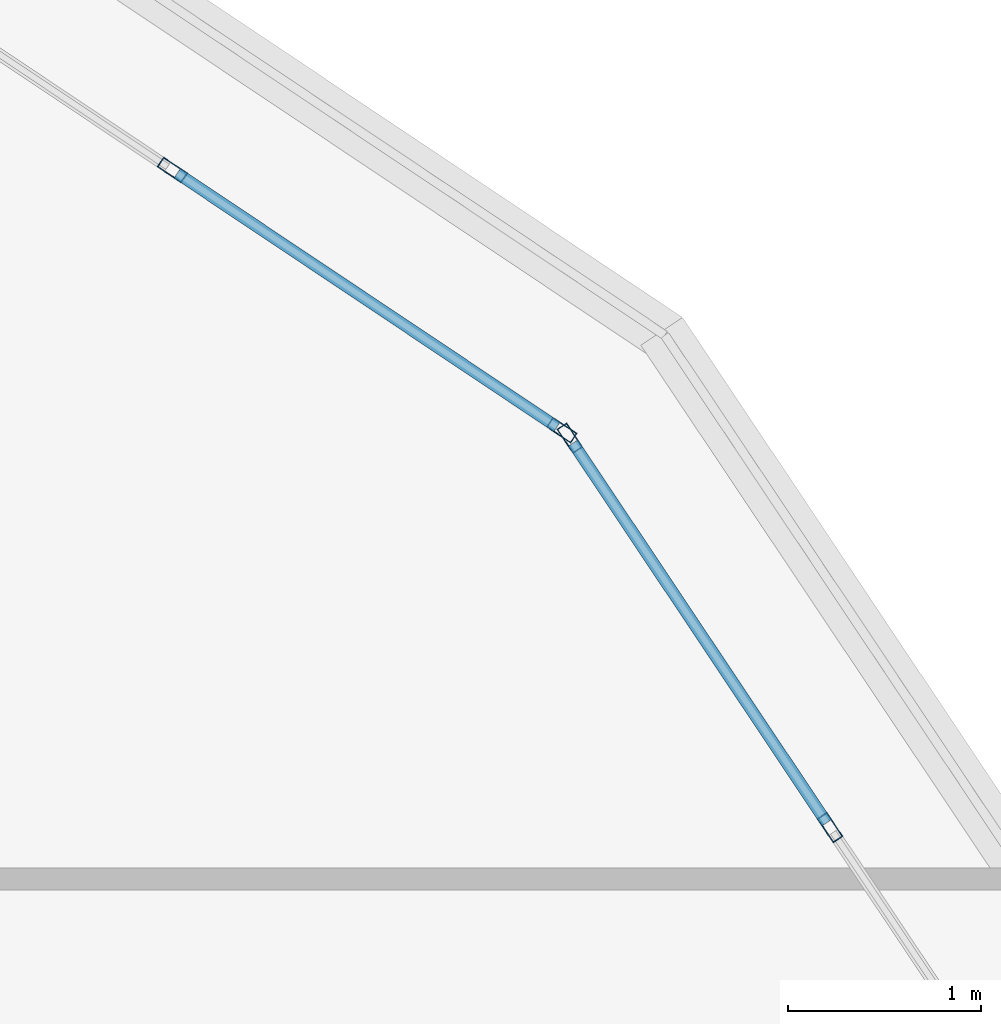
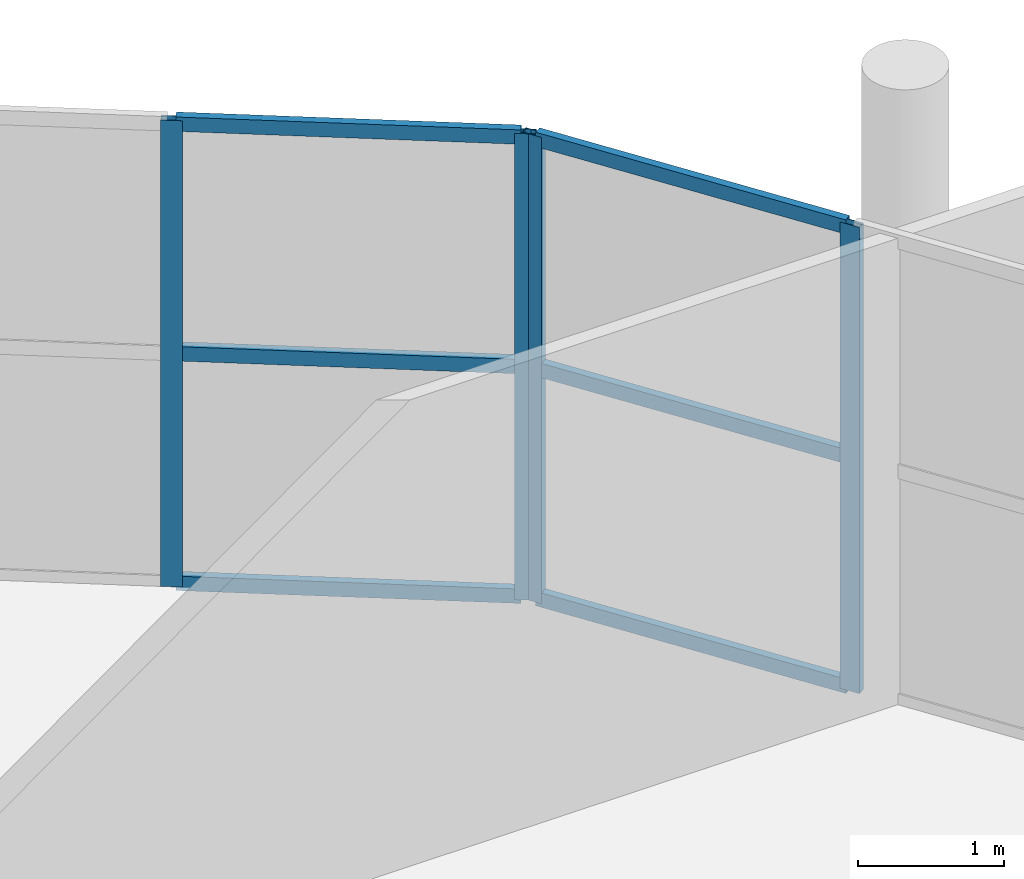
# One storey, part 24 of 44: 10 members, 2 elements without a shape of their own.
"""IFC4 building model written with IfcOpenShell, lengths in metres."""

from ifc_helpers import new_model, si_unit, direction, frame, origin, origin_2d, place, context, subcontext, project, spatial, hollow_rectangle, extrude, material, layer, layer_set, material_profile, profile_set, type_object, element, aggregate, save


model = new_model("IFC4")

# Units and contexts
model_context = context("Model", 3, precision=1e-05, world=origin(), true_north=direction((0.0, 1.0)))
body_context = subcontext(model_context, "Body", "Model", "MODEL_VIEW")
ifc_project = project(units=[si_unit("LENGTHUNIT", "METRE"), si_unit("AREAUNIT", "SQUARE_METRE"), si_unit("VOLUMEUNIT", "CUBIC_METRE"), si_unit("PLANEANGLEUNIT", "RADIAN"), si_unit("MASSUNIT", "GRAM", prefix="KILO")], contexts=[model_context])

# Site, building, storey
site_placement = place(None, origin())
site = spatial("IfcSite", under=ifc_project, at=site_placement, CompositionType="ELEMENT")
building_placement = place(site_placement, origin())
building = spatial("IfcBuilding", under=site, at=building_placement, Name="Zizhar Promenade General Hospital", CompositionType="ELEMENT")
storey_placement = place(building_placement, frame((0.0, 0.0, 34.800048828125)))
storey = spatial("IfcBuildingStorey", under=building, at=storey_placement, Name="L08", CompositionType="ELEMENT", Elevation=34.800048828125)

# Curtain wall, members
ifc_material_1 = material(Name="Anodised aluminium 6063-T6 and low-E glass", Category="aluminium")
ifc_layer = layer(ifc_material_1, 0.159912109375)
ifc_layer_set = layer_set([ifc_layer], Name="Anodised aluminium 6063-T6 and low-E glass")
curtain_wall_type = type_object("IfcCurtainWallType", Name="CW-WARD-ARC", PredefinedType="NOTDEFINED", material=ifc_layer_set)
curtain_wall_1_placement = place(storey_placement, origin())
curtain_wall_1 = element("IfcCurtainWall", 1, at=curtain_wall_1_placement, inside=storey, type_object=curtain_wall_type, Name="Ward Semicircular End Glazing L08-06", PredefinedType="NOTDEFINED")
ifc_material_2 = material(Name="Anodised aluminium 6063-T6", Category="aluminium")
ifc_material_profile_1 = material_profile(ifc_material_2, hollow_rectangle(XDim=0.06005859375, YDim=0.14990234375, WallThickness=0.00390625, at=origin_2d()))
ifc_profile_set_1 = profile_set([ifc_material_profile_1], Name="Anodised aluminium 6063-T6")
member_type_1 = type_object("IfcMemberType", Name="CWM-ALU-150x60", PredefinedType="MULLION", material=ifc_profile_set_1)
member_1_placement = place(storey_placement, frame((107.326171875, 21.484619140625, 0.0), z_axis=(0.0, 0.0, 1.0), x_axis=(0.831461514468, 0.555582352095, 0.0)))
member_1 = element("IfcMember", 2, at=member_1_placement, type_object=member_type_1, Name="CW-12 mullion 1", PredefinedType="MULLION", context=body_context, shape_type="SweptSolid", body=[
    extrude(hollow_rectangle(XDim=0.06005859375, YDim=0.14990234375, WallThickness=0.00390625, at=origin_2d()), origin(), (0.0, 0.0, 1.0), 3.89990234375),
])
member_2_placement = place(storey_placement, frame((108.67529296875, 19.465576171875, 0.0), z_axis=(0.0, 0.0, 1.0), x_axis=(0.831461514468, 0.555582352095, 0.0)))
member_2 = element("IfcMember", 3, at=member_2_placement, type_object=member_type_1, Name="CW-12 mullion 2", PredefinedType="MULLION", context=body_context, shape_type="SweptSolid", body=[
    extrude(hollow_rectangle(XDim=0.06005859375, YDim=0.14990234375, WallThickness=0.00390625, at=origin_2d()), origin(), (0.0, 0.0, 1.0), 3.89990234375),
])

curtain_wall_2_placement = place(storey_placement, origin())
curtain_wall_2 = element("IfcCurtainWall", 4, at=curtain_wall_2_placement, inside=storey, type_object=curtain_wall_type, Name="Ward Semicircular End Glazing L08-07", PredefinedType="NOTDEFINED")
member_3_placement = place(storey_placement, frame((105.265625, 22.875244140625, 0.0), z_axis=(0.0, 0.0, 1.0), x_axis=(0.555582352095, 0.831461514468, 0.0)))
member_3 = element("IfcMember", 5, at=member_3_placement, type_object=member_type_1, Name="CW-12 mullion 2", PredefinedType="MULLION", context=body_context, shape_type="SweptSolid", body=[
    extrude(hollow_rectangle(XDim=0.06005859375, YDim=0.14990234375, WallThickness=0.00390625, at=origin_2d()), origin(), (0.0, 0.0, 1.0), 3.89990234375),
])
member_4_placement = place(storey_placement, frame((107.28466796875, 21.526123046875, 0.0), z_axis=(0.0, 0.0, 1.0), x_axis=(0.555582352095, 0.831461514468, 0.0)))
member_4 = element("IfcMember", 6, at=member_4_placement, type_object=member_type_1, Name="CW-12 mullion 3", PredefinedType="MULLION", context=body_context, shape_type="SweptSolid", body=[
    extrude(hollow_rectangle(XDim=0.06005859375, YDim=0.14990234375, WallThickness=0.00390625, at=origin_2d()), origin(), (0.0, 0.0, 1.0), 3.89990234375),
])

# Member
ifc_material_3 = material(Name="Anodised aluminium 6063-T6", Category="aluminium")
ifc_material_profile_2 = material_profile(ifc_material_3, hollow_rectangle(XDim=0.06005859375, YDim=0.1201171875, WallThickness=0.00390625, at=origin_2d()))
ifc_profile_set_2 = profile_set([ifc_material_profile_2], Name="Anodised aluminium 6063-T6")
member_type_2 = type_object("IfcMemberType", Name="CWT-ALU-120x60", PredefinedType="USERDEFINED", material=ifc_profile_set_2)
member_5_placement = place(storey_placement, frame((107.3427734375, 21.459716796875, 0.030029296875), z_axis=(0.555532539312, -0.831494797197, 0.0), x_axis=(0.831494797197, 0.555532539312, 0.0)))
member_5 = element("IfcMember", 7, at=member_5_placement, type_object=member_type_2, Name="CW-12 transom 1.1", ObjectType="TRANSOM", PredefinedType="USERDEFINED", context=body_context, shape_type="SweptSolid", body=[
    extrude(hollow_rectangle(XDim=0.06005859375, YDim=0.1201171875, WallThickness=0.00390625, at=origin_2d()), origin(), (0.0, 0.0, 1.0), 2.368408203125),
])

member_6_placement = place(storey_placement, frame((107.3427734375, 21.459716796875, 1.949951171875), z_axis=(0.555532539312, -0.831494797197, 0.0), x_axis=(0.831494797197, 0.555532539312, 0.0)))
member_6 = element("IfcMember", 8, at=member_6_placement, type_object=member_type_2, Name="CW-12 transom 1.2", ObjectType="TRANSOM", PredefinedType="USERDEFINED", context=body_context, shape_type="SweptSolid", body=[
    extrude(hollow_rectangle(XDim=0.06005859375, YDim=0.1201171875, WallThickness=0.00390625, at=origin_2d()), origin(), (0.0, 0.0, 1.0), 2.368408203125),
])

member_7_placement = place(storey_placement, frame((107.3427734375, 21.459716796875, 3.869873046875), z_axis=(0.555532539312, -0.831494797197, 0.0), x_axis=(0.831494797197, 0.555532539312, 0.0)))
member_7 = element("IfcMember", 9, at=member_7_placement, type_object=member_type_2, Name="CW-12 transom 1.3", ObjectType="TRANSOM", PredefinedType="USERDEFINED", context=body_context, shape_type="SweptSolid", body=[
    extrude(hollow_rectangle(XDim=0.06005859375, YDim=0.1201171875, WallThickness=0.00390625, at=origin_2d()), origin(), (0.0, 0.0, 1.0), 2.368408203125),
])

aggregate(curtain_wall_1, [member_1, member_2, member_5, member_6, member_7])

member_8_placement = place(storey_placement, frame((105.29052734375, 22.858642578125, 0.030029296875), z_axis=(0.831415354375, -0.555651427164, 0.0), x_axis=(0.555651427164, 0.831415354375, 0.0)))
member_8 = element("IfcMember", 10, at=member_8_placement, type_object=member_type_2, Name="CW-12 transom 2.1", ObjectType="TRANSOM", PredefinedType="USERDEFINED", context=body_context, shape_type="SweptSolid", body=[
    extrude(hollow_rectangle(XDim=0.06005859375, YDim=0.1201171875, WallThickness=0.00390625, at=origin_2d()), origin(), (0.0, 0.0, 1.0), 2.3681640625),
])

member_9_placement = place(storey_placement, frame((105.29052734375, 22.858642578125, 1.949951171875), z_axis=(0.831415354375, -0.555651427164, 0.0), x_axis=(0.555651427164, 0.831415354375, 0.0)))
member_9 = element("IfcMember", 11, at=member_9_placement, type_object=member_type_2, Name="CW-12 transom 2.2", ObjectType="TRANSOM", PredefinedType="USERDEFINED", context=body_context, shape_type="SweptSolid", body=[
    extrude(hollow_rectangle(XDim=0.06005859375, YDim=0.1201171875, WallThickness=0.00390625, at=origin_2d()), origin(), (0.0, 0.0, 1.0), 2.3681640625),
])

member_10_placement = place(storey_placement, frame((105.29052734375, 22.858642578125, 3.869873046875), z_axis=(0.831415354375, -0.555651427164, 0.0), x_axis=(0.555651427164, 0.831415354375, 0.0)))
member_10 = element("IfcMember", 12, at=member_10_placement, type_object=member_type_2, Name="CW-12 transom 2.3", ObjectType="TRANSOM", PredefinedType="USERDEFINED", context=body_context, shape_type="SweptSolid", body=[
    extrude(hollow_rectangle(XDim=0.06005859375, YDim=0.1201171875, WallThickness=0.00390625, at=origin_2d()), origin(), (0.0, 0.0, 1.0), 2.3681640625),
])

aggregate(curtain_wall_2, [member_3, member_4, member_8, member_9, member_10])

save(model, "model.ifc")
